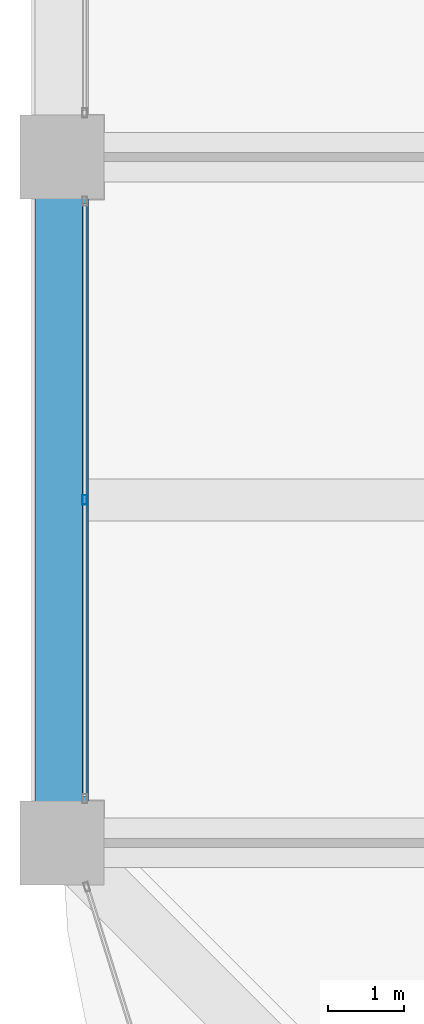
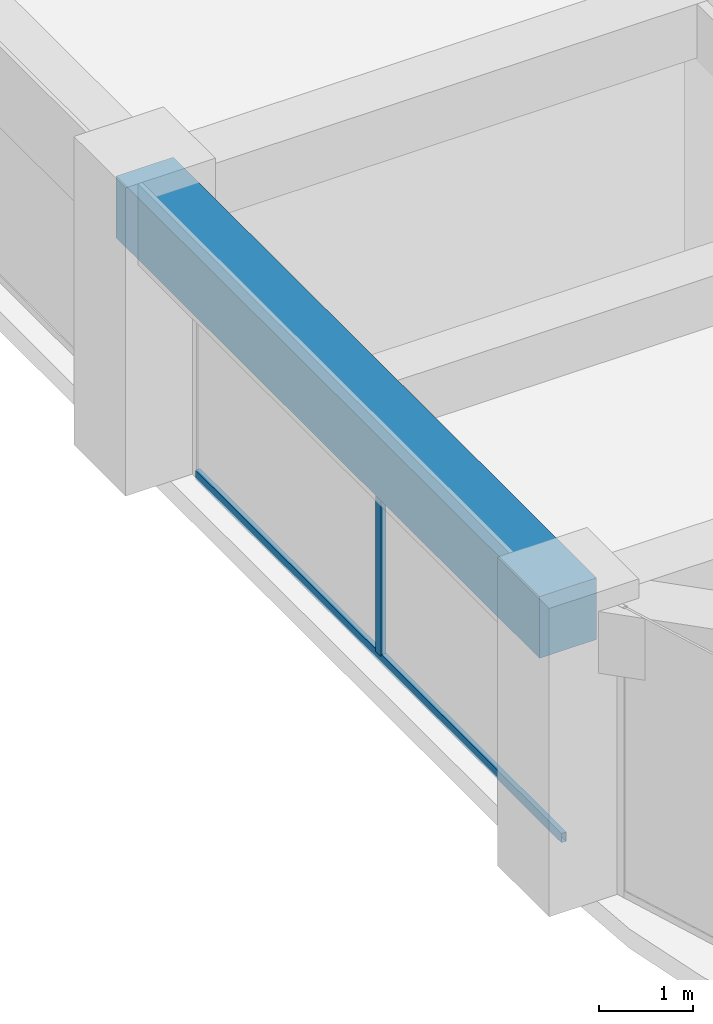
# One storey, part 7 of 44: 2 members, 1 beam, 1 element without a shape of its own.
"""IFC4 building model written with IfcOpenShell, lengths in metres."""

import ifcopenshell
import ifcopenshell.guid

model = None  # the IFC model being written
_history = None  # IfcOwnerHistory: only IFC2X3 demands one
_inside = {}  # id of a spatial element -> (the spatial element, [elements in it])
_under = {}  # id of a project, library or spatial element -> (it, [spatial elements below it])
_declared = {}  # id of a project -> (the project, [libraries it declares])
_typed = {}  # id of a type object -> (the type object, [elements of that type])
_made_of = {}  # id of a material, layer set ... -> (it, [elements and type objects made of it])


def new_model(schema):
    """Start an empty IFC model of exactly this schema.

    Asked for "IFC4X3", IfcOpenShell would pick the latest addendum, in which some entities
    have other attributes; the version numbers below select the first issue.
    IFC2X3 requires an IfcOwnerHistory on every rooted entity: one is made here for all.
    """
    global model, _history
    if schema == "IFC4X3":
        model = ifcopenshell.file(schema_version=(4, 3, 0, 0))
    else:
        model = ifcopenshell.file(schema=schema)
    _inside.clear()
    _under.clear()
    _declared.clear()
    _typed.clear()
    _made_of.clear()
    _history = None
    if model.schema == "IFC2X3":
        org = make("IfcOrganization", Name="unknown")
        user = make(
            "IfcPersonAndOrganization",
            ThePerson=make("IfcPerson", FamilyName="unknown"),
            TheOrganization=org,
        )
        app = make(
            "IfcApplication",
            ApplicationDeveloper=org,
            Version="unknown",
            ApplicationFullName="unknown",
            ApplicationIdentifier="unknown",
        )
        _history = make(
            "IfcOwnerHistory",
            OwningUser=user,
            OwningApplication=app,
            ChangeAction="ADDED",
            CreationDate=0,
        )
    return model


def make(cls, **values):
    """One entity of the class cls with the attributes given. An attribute that is None is left unset."""
    return model.create_entity(
        cls, **{name: value for name, value in values.items() if value is not None}
    )


def rooted(cls, **values):
    """An entity with a GlobalId (a new one), such as an element, a storey or a relation."""
    return make(cls, GlobalId=ifcopenshell.guid.new(), OwnerHistory=_history, **values)


def si_unit(unit_type, name, prefix=None):
    """IfcSIUnit, for example si_unit("LENGTHUNIT", "METRE", prefix="MILLI")."""
    return make("IfcSIUnit", UnitType=unit_type, Prefix=prefix, Name=name)


def assignment(units):
    """IfcUnitAssignment: the units of a project."""
    return None if units is None else make("IfcUnitAssignment", Units=units)


def point(xyz):
    """IfcCartesianPoint."""
    return None if xyz is None else make("IfcCartesianPoint", Coordinates=xyz)


def direction(xyz):
    """IfcDirection."""
    return None if xyz is None else make("IfcDirection", DirectionRatios=xyz)


def frame(location, z_axis=None, x_axis=None):
    """IfcAxis2Placement3D, a coordinate frame: its origin and axes. An axis left out is left unset."""
    return make(
        "IfcAxis2Placement3D",
        Location=point(location),
        Axis=direction(z_axis),
        RefDirection=direction(x_axis),
    )


def frame_2d(location, x_axis=None):
    """IfcAxis2Placement2D, a coordinate frame in the plane: its origin and x axis."""
    return make(
        "IfcAxis2Placement2D", Location=point(location), RefDirection=direction(x_axis)
    )


def origin():
    """The frame at (0, 0, 0) with its axes left unset."""
    return frame((0.0, 0.0, 0.0))


def origin_2d():
    """The frame at (0, 0) in the plane with its x axis left unset."""
    return frame_2d((0.0, 0.0))


def place(relative_to, where):
    """IfcLocalPlacement: puts the frame where relative to a parent placement (None: the world)."""
    return make(
        "IfcLocalPlacement", PlacementRelTo=relative_to, RelativePlacement=where
    )


def context(
    kind, dimensions, precision=None, world=None, true_north=None, identifier=None
):
    """IfcGeometricRepresentationContext, for example the 3D "Model" context."""
    return make(
        "IfcGeometricRepresentationContext",
        ContextIdentifier=identifier,
        ContextType=kind,
        CoordinateSpaceDimension=dimensions,
        Precision=precision,
        WorldCoordinateSystem=world,
        TrueNorth=true_north,
    )


def subcontext(parent, identifier, kind, view, scale=None):
    """IfcGeometricRepresentationSubContext, for example "Body" below "Model"."""
    return make(
        "IfcGeometricRepresentationSubContext",
        ContextIdentifier=identifier,
        ContextType=kind,
        ParentContext=parent,
        TargetScale=scale,
        TargetView=view,
    )


def project(units=None, contexts=None):
    """IfcProject with its units and contexts."""
    return rooted(
        "IfcProject",
        Name="project",
        RepresentationContexts=contexts,
        UnitsInContext=assignment(units),
    )


def spatial(cls, under=None, at=None, **own):
    """A site, building, storey or space (cls), placed at a placement, below another one or the project."""
    s = rooted(cls, ObjectPlacement=at, **own)
    if under is not None:
        _under.setdefault(under.id(), (under, []))[1].append(s)
    return s


def profile(cls, at=None, kind="AREA", **sizes):
    """A parametric profile (cls). Its sizes go by their IFC names, for example OverallWidth=200.0."""
    return make(cls, ProfileType=kind, Position=at, **sizes)


def rectangle(**sizes):
    """IfcRectangleProfileDef."""
    return profile("IfcRectangleProfileDef", **sizes)


def hollow_rectangle(**sizes):
    """IfcRectangleHollowProfileDef."""
    return profile("IfcRectangleHollowProfileDef", **sizes)


def extrude(swept, where, along, depth):
    """IfcExtrudedAreaSolid: the profile swept, set in the frame where, extruded along a direction by depth."""
    return make(
        "IfcExtrudedAreaSolid",
        SweptArea=swept,
        Position=where,
        ExtrudedDirection=direction(along),
        Depth=depth,
    )


def shape(context_of_items, identifier, shape_type, items):
    """IfcShapeRepresentation: the items that make up one representation, for example the "Body"."""
    return make(
        "IfcShapeRepresentation",
        ContextOfItems=context_of_items,
        RepresentationIdentifier=identifier,
        RepresentationType=shape_type,
        Items=items,
    )


def material(Name=None, Category=None):
    """IfcMaterial."""
    return make("IfcMaterial", Name=Name, Category=Category)


def material_profile(
    of_material, cross_section, Name=None, Category=None, Priority=None
):
    """IfcMaterialProfile: a cross section and its material."""
    return make(
        "IfcMaterialProfile",
        Name=Name,
        Material=of_material,
        Profile=cross_section,
        Priority=Priority,
        Category=Category,
    )


def profile_set(profiles, Name=None, composite=None):
    """IfcMaterialProfileSet."""
    return make(
        "IfcMaterialProfileSet",
        Name=Name,
        MaterialProfiles=profiles,
        CompositeProfile=composite,
    )


def made_of(thing, what):
    """Note that an element or type object is made of a material, layer set ...; save() writes the relation."""
    if what is not None:
        _made_of.setdefault(what.id(), (what, []))[1].append(thing)
    return thing


def type_object(cls, material=None, **own):
    """A type object (cls), such as IfcWallType, which elements share."""
    return made_of(rooted(cls, **own), material)


def element(
    cls,
    number,
    at=None,
    inside=None,
    cuts=None,
    type_object=None,
    material=None,
    context=None,
    identifier="Body",
    shape_type=None,
    held_by="IfcProductDefinitionShape",
    body=None,
    shapes=None,
    **own,
):
    """One element of the class cls, such as IfcWall. Its Tag is "e" and its number.

    at: its placement. inside: the storey or other place that contains it. cuts: it is an
    opening in that element (IfcRelVoidsElement). A single representation is given by context,
    identifier, shape_type and body (its items); several are given by shapes. held_by: the class
    of the entity that holds the representations. save() writes the other relations.
    """
    e = rooted(cls, Tag="e%d" % number, ObjectPlacement=at, **own)
    if body is not None:
        shapes = [shape(context, identifier, shape_type, body)]
    if shapes is not None:
        e.Representation = make(held_by, Representations=shapes)
    if inside is not None:
        _inside.setdefault(inside.id(), (inside, []))[1].append(e)
    if cuts is not None:
        rooted(
            "IfcRelVoidsElement", RelatingBuildingElement=cuts, RelatedOpeningElement=e
        )
    if type_object is not None:
        _typed.setdefault(type_object.id(), (type_object, []))[1].append(e)
    return made_of(e, material)


def aggregate(whole, parts):
    """IfcRelAggregates: a whole, such as a stair, and the parts it consists of."""
    return rooted("IfcRelAggregates", RelatingObject=whole, RelatedObjects=parts)


def save(model, path):
    """Write the relations noted so far, then the file.

    IfcRelAggregates (storeys below a building ...), IfcRelContainedInSpatialStructure (elements
    in a storey), IfcRelDefinesByType, IfcRelAssociatesMaterial and IfcRelDeclares: one each for
    every whole, place, type object, material and project.
    """
    for whole, parts in _under.values():
        aggregate(whole, parts)
    for where, things in _inside.values():
        rooted(
            "IfcRelContainedInSpatialStructure",
            RelatedElements=things,
            RelatingStructure=where,
        )
    for kind, things in _typed.values():
        rooted("IfcRelDefinesByType", RelatedObjects=things, RelatingType=kind)
    for what, things in _made_of.values():
        rooted("IfcRelAssociatesMaterial", RelatedObjects=things, RelatingMaterial=what)
    for by, libraries in _declared.values():
        rooted("IfcRelDeclares", RelatingContext=by, RelatedDefinitions=libraries)
    model.write(path)


model = new_model("IFC4")

# Units and contexts
model_context = context("Model", 3, precision=1e-05, world=origin(), true_north=direction((0.0, 1.0)))
body_context = subcontext(model_context, "Body", "Model", "MODEL_VIEW")
ifc_project = project(units=[si_unit("LENGTHUNIT", "METRE"), si_unit("AREAUNIT", "SQUARE_METRE"), si_unit("VOLUMEUNIT", "CUBIC_METRE"), si_unit("PLANEANGLEUNIT", "RADIAN"), si_unit("MASSUNIT", "GRAM", prefix="KILO")], contexts=[model_context])

# Site, building, storey
site_placement = place(None, origin())
site = spatial("IfcSite", under=ifc_project, at=site_placement, CompositionType="ELEMENT")
building_placement = place(site_placement, origin())
building = spatial("IfcBuilding", under=site, at=building_placement, Name="Zorevar Civic Tower", CompositionType="ELEMENT")
storey_placement = place(building_placement, frame((0.0, 0.0, 283.39990234375)))
storey = spatial("IfcBuildingStorey", under=building, at=storey_placement, Name="L69", CompositionType="ELEMENT", Elevation=283.39990234375)

# Curtain wall, members
ifc_material_1 = material(Name="Dark grey solar-control glass in black aluminium frame", Category="aluminium")
curtain_wall_type = type_object("IfcCurtainWallType", Name="Curtain wall CW5 top zone", PredefinedType="NOTDEFINED", material=ifc_material_1)
curtain_wall_placement = place(storey_placement, origin())
curtain_wall = element("IfcCurtainWall", 1, at=curtain_wall_placement, inside=storey, type_object=curtain_wall_type, Name="CW5 L69", PredefinedType="NOTDEFINED")
ifc_material_2 = material(Name="Aluminium, black anodised", Category="aluminium")
ifc_material_profile_1 = material_profile(ifc_material_2, hollow_rectangle(XDim=0.06005859375, YDim=0.1201171875, WallThickness=0.0029296875, at=origin_2d()), Name="AL 120x60x3")
ifc_profile_set_1 = profile_set([ifc_material_profile_1], Name="Aluminium, black anodised")
member_type_1 = type_object("IfcMemberType", Name="CW5 mullion AL 120x60x3", PredefinedType="MULLION", material=ifc_profile_set_1)
member_1_placement = place(storey_placement, frame((9.300048828125, 13.5, 0.06005859375), z_axis=(0.0, 0.0, 1.0), x_axis=(-1.0, 0.0, 0.0)))
member_1 = element("IfcMember", 2, at=member_1_placement, type_object=member_type_1, Name="CW5 mullion 2", PredefinedType="MULLION", context=body_context, shape_type="SweptSolid", body=[
    extrude(hollow_rectangle(XDim=0.06005859375, YDim=0.1201171875, WallThickness=0.0029296875, at=origin_2d()), origin(), (0.0, 0.0, 1.0), 2.89013671875),
])
ifc_material_3 = material(Name="Aluminium, black anodised", Category="aluminium")
ifc_material_profile_2 = material_profile(ifc_material_3, hollow_rectangle(XDim=0.06005859375, YDim=0.1201171875, WallThickness=0.0029296875, at=origin_2d()), Name="AL 120x60x3")
ifc_profile_set_2 = profile_set([ifc_material_profile_2], Name="Aluminium, black anodised")
member_type_2 = type_object("IfcMemberType", Name="CW5 transom AL 120x60x3", PredefinedType="USERDEFINED", material=ifc_profile_set_2)
member_2_placement = place(storey_placement, frame((9.300048828125, 9.610107421875, 0.030029296875), z_axis=(0.0, 1.0, 0.0), x_axis=(-1.0, 0.0, 0.0)))
member_2 = element("IfcMember", 3, at=member_2_placement, type_object=member_type_2, Name="CW5 sill transom", ObjectType="TRANSOM", PredefinedType="USERDEFINED", context=body_context, shape_type="SweptSolid", body=[
    extrude(hollow_rectangle(XDim=0.06005859375, YDim=0.1201171875, WallThickness=0.0029296875, at=origin_2d()), origin(), (0.0, 0.0, 1.0), 7.77978515625),
])
aggregate(curtain_wall, [member_1, member_2])

# Beam
ifc_material_4 = material(Name="Concrete C50/60", Category="concrete")
ifc_material_profile_3 = material_profile(ifc_material_4, rectangle(XDim=0.699951171875, YDim=0.800048828125, at=origin_2d()), Name="RC 700x800")
ifc_profile_set_3 = profile_set([ifc_material_profile_3], Name="Concrete C50/60")
beam_type = type_object("IfcBeamType", Name="Edge beam RC 700x800", PredefinedType="SPANDREL", material=ifc_profile_set_3)
beam_placement = place(storey_placement, frame((9.0, 9.0, 3.35009765625), z_axis=(0.0, 1.0, 0.0), x_axis=(-1.0, 0.0, 0.0)))
element("IfcBeam", 4, at=beam_placement, inside=storey, type_object=beam_type, Name="Edge beam L70", PredefinedType="SPANDREL", context=body_context, shape_type="SweptSolid", body=[
    extrude(rectangle(XDim=0.699951171875, YDim=0.800048828125, at=origin_2d()), origin(), (0.0, 0.0, 1.0), 9.0),
])

save(model, "model.ifc")
